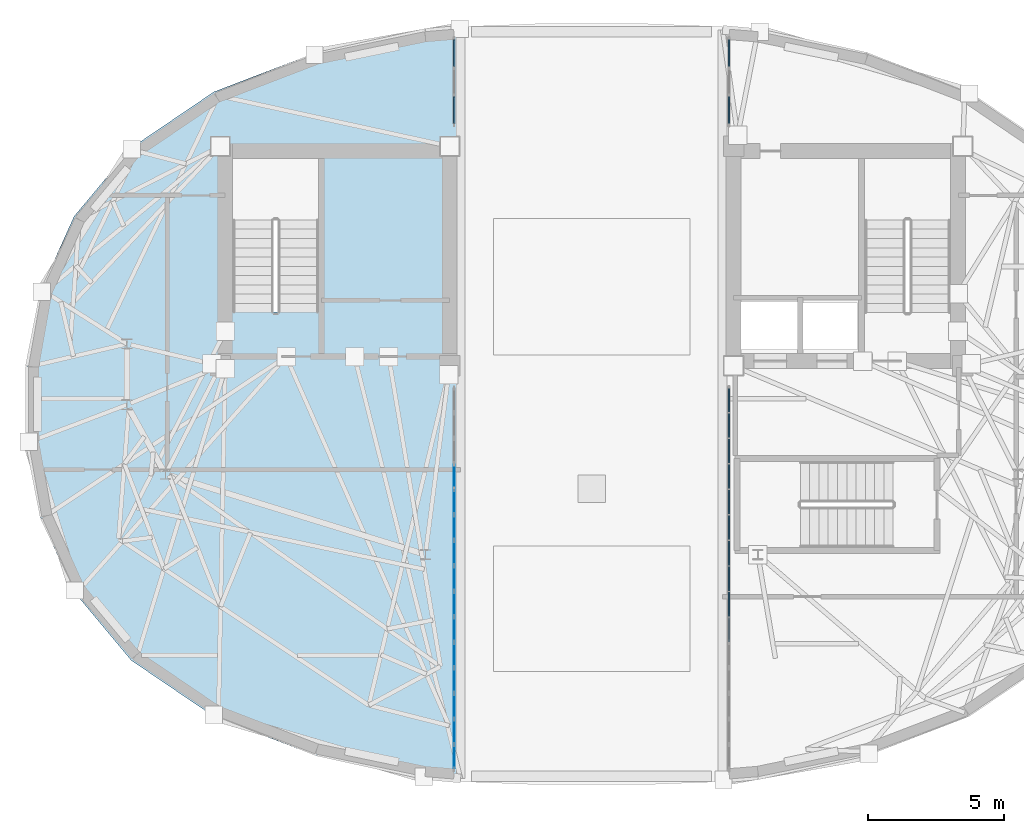
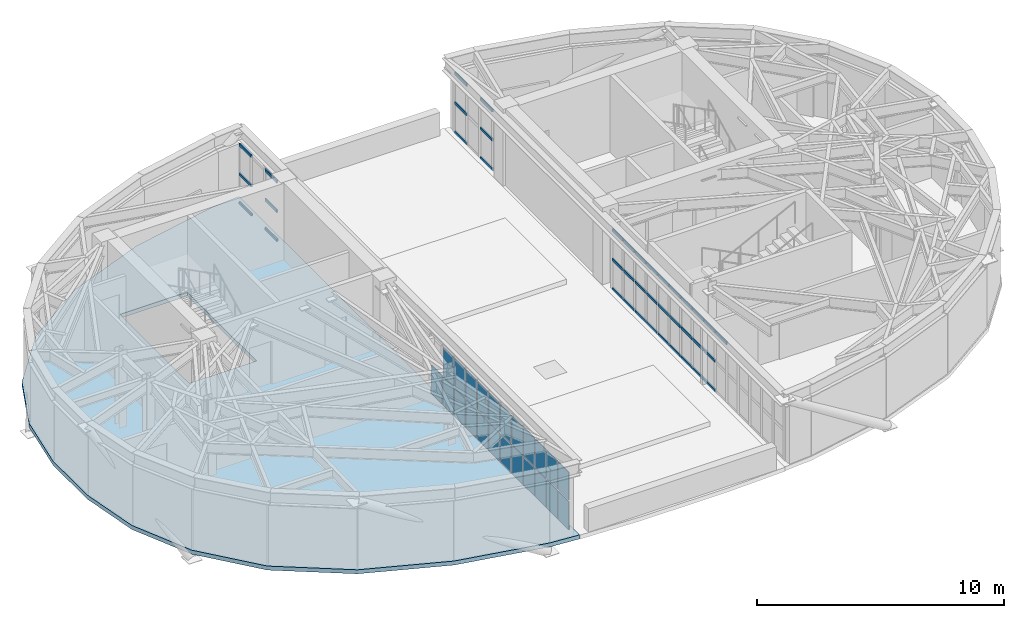
# One storey, part 7 of 13: 40 members, 23 plates, 1 slab, 4 elements without a shape of their own.
"""IFC4 building model written with IfcOpenShell, lengths in metres."""

from ifc_helpers import new_model, si_unit, direction, frame, origin, origin_2d, place, context, subcontext, project, spatial, polyline, rectangle, outline, extrude, material, layer, layer_set, material_profile, profile_set, type_object, element, aggregate, save


model = new_model("IFC4")

# Units and contexts
model_context = context("Model", 3, precision=1e-05, world=origin(), true_north=direction((0.0, 1.0)))
body_context = subcontext(model_context, "Body", "Model", "MODEL_VIEW")
ifc_project = project(units=[si_unit("LENGTHUNIT", "METRE"), si_unit("AREAUNIT", "SQUARE_METRE"), si_unit("VOLUMEUNIT", "CUBIC_METRE"), si_unit("PLANEANGLEUNIT", "RADIAN"), si_unit("MASSUNIT", "GRAM", prefix="KILO")], contexts=[model_context])

# Site, building, storey
site_placement = place(None, origin())
site = spatial("IfcSite", under=ifc_project, at=site_placement, CompositionType="ELEMENT")
building_placement = place(site_placement, origin())
building = spatial("IfcBuilding", under=site, at=building_placement, Name="Keldmark Tower", CompositionType="ELEMENT")
storey_placement = place(building_placement, frame((0.0, 0.0, 269.199951171875)))
storey = spatial("IfcBuildingStorey", under=building, at=storey_placement, Name="L76", CompositionType="ELEMENT", Elevation=269.199951171875)

# Curtain wall, members
ifc_material_1 = material(Name="Unitized Thermally Broken Aluminum and Triple Low-E Glazing", Category="aluminium")
ifc_layer_1 = layer(ifc_material_1, 0.219970703125)
ifc_layer_set_1 = layer_set([ifc_layer_1], Name="Unitized Thermally Broken Aluminum and Triple Low-E Glazing")
curtain_wall_type = type_object("IfcCurtainWallType", Name="Split-Top Crown Lantern Curtain Wall System", PredefinedType="NOTDEFINED", material=ifc_layer_set_1)
curtain_wall_1_placement = place(storey_placement, origin())
curtain_wall_1 = element("IfcCurtainWall", 1, at=curtain_wall_1_placement, inside=storey, type_object=curtain_wall_type, Name="L76 Split-Top Crown Lantern Curtain Wall System CW-L76-ES14-0", PredefinedType="NOTDEFINED")
ifc_material_2 = material(Name="Extruded Aluminum Alloy 6063-T6", Category="aluminium")
ifc_material_profile = material_profile(ifc_material_2, rectangle(XDim=0.06005859375, YDim=0.139892578125, at=origin_2d()), Name="CWT60X140")
ifc_profile_set = profile_set([ifc_material_profile], Name="Extruded Aluminum Alloy 6063-T6")
member_type = type_object("IfcMemberType", Name="Curtain Wall Horizontal Transom 60x140", PredefinedType="USERDEFINED", material=ifc_profile_set)
member_1_placement = place(storey_placement, frame((5.0400390625, 13.344482421875, 0.030029296875), z_axis=(0.0, -1.0, 0.0), x_axis=(1.0, 0.0, 0.0)))
member_1 = element("IfcMember", 2, at=member_1_placement, type_object=member_type, Name="CW transom 1.1", ObjectType="TRANSOM", PredefinedType="USERDEFINED", context=body_context, shape_type="SweptSolid", body=[
    extrude(rectangle(XDim=0.06005859375, YDim=0.139892578125, at=origin_2d()), origin(), (0.0, 0.0, 1.0), 0.968505859375),
])
member_2_placement = place(storey_placement, frame((5.0400390625, 13.344482421875, 1.483154296875), z_axis=(0.0, -1.0, 0.0), x_axis=(1.0, 0.0, 0.0)))
member_2 = element("IfcMember", 3, at=member_2_placement, type_object=member_type, Name="CW transom 1.2", ObjectType="TRANSOM", PredefinedType="USERDEFINED", context=body_context, shape_type="SweptSolid", body=[
    extrude(rectangle(XDim=0.06005859375, YDim=0.139892578125, at=origin_2d()), origin(), (0.0, 0.0, 1.0), 0.968505859375),
])
member_3_placement = place(storey_placement, frame((5.0400390625, 13.344482421875, 2.93603515625), z_axis=(0.0, -1.0, 0.0), x_axis=(1.0, 0.0, 0.0)))
member_3 = element("IfcMember", 4, at=member_3_placement, type_object=member_type, Name="CW transom 1.3", ObjectType="TRANSOM", PredefinedType="USERDEFINED", context=body_context, shape_type="SweptSolid", body=[
    extrude(rectangle(XDim=0.06005859375, YDim=0.139892578125, at=origin_2d()), origin(), (0.0, 0.0, 1.0), 0.968505859375),
])
member_4_placement = place(storey_placement, frame((5.0400390625, 11.257080078125, 0.030029296875), z_axis=(0.0, -1.0, 0.0), x_axis=(1.0, 0.0, 0.0)))
member_4 = element("IfcMember", 5, at=member_4_placement, type_object=member_type, Name="CW transom 3.1", ObjectType="TRANSOM", PredefinedType="USERDEFINED", context=body_context, shape_type="SweptSolid", body=[
    extrude(rectangle(XDim=0.06005859375, YDim=0.139892578125, at=origin_2d()), origin(), (0.0, 0.0, 1.0), 0.968505859375),
])
member_5_placement = place(storey_placement, frame((5.0400390625, 11.257080078125, 1.483154296875), z_axis=(0.0, -1.0, 0.0), x_axis=(1.0, 0.0, 0.0)))
member_5 = element("IfcMember", 6, at=member_5_placement, type_object=member_type, Name="CW transom 3.2", ObjectType="TRANSOM", PredefinedType="USERDEFINED", context=body_context, shape_type="SweptSolid", body=[
    extrude(rectangle(XDim=0.06005859375, YDim=0.139892578125, at=origin_2d()), origin(), (0.0, 0.0, 1.0), 0.968505859375),
])
member_6_placement = place(storey_placement, frame((5.0400390625, 11.257080078125, 2.93603515625), z_axis=(0.0, -1.0, 0.0), x_axis=(1.0, 0.0, 0.0)))
member_6 = element("IfcMember", 7, at=member_6_placement, type_object=member_type, Name="CW transom 3.3", ObjectType="TRANSOM", PredefinedType="USERDEFINED", context=body_context, shape_type="SweptSolid", body=[
    extrude(rectangle(XDim=0.06005859375, YDim=0.139892578125, at=origin_2d()), origin(), (0.0, 0.0, 1.0), 0.968505859375),
])
aggregate(curtain_wall_1, [member_1, member_2, member_3, member_4, member_5, member_6])

curtain_wall_2_placement = place(storey_placement, origin())
curtain_wall_2 = element("IfcCurtainWall", 8, at=curtain_wall_2_placement, inside=storey, type_object=curtain_wall_type, Name="L76 Split-Top Crown Lantern Curtain Wall System CW-L76-ES14-1", PredefinedType="NOTDEFINED")
member_7_placement = place(storey_placement, frame((5.0400390625, 0.5615234375, 0.030029296875), z_axis=(0.0, -1.0, 0.0), x_axis=(1.0, 0.0, 0.0)))
member_7 = element("IfcMember", 9, at=member_7_placement, type_object=member_type, Name="CW transom 1.1", ObjectType="TRANSOM", PredefinedType="USERDEFINED", context=body_context, shape_type="SweptSolid", body=[
    extrude(rectangle(XDim=0.06005859375, YDim=0.139892578125, at=origin_2d()), origin(), (0.0, 0.0, 1.0), 0.84521484375),
])
member_8_placement = place(storey_placement, frame((5.0400390625, 0.5615234375, 1.483154296875), z_axis=(0.0, -1.0, 0.0), x_axis=(1.0, 0.0, 0.0)))
member_8 = element("IfcMember", 10, at=member_8_placement, type_object=member_type, Name="CW transom 1.2", ObjectType="TRANSOM", PredefinedType="USERDEFINED", context=body_context, shape_type="SweptSolid", body=[
    extrude(rectangle(XDim=0.06005859375, YDim=0.139892578125, at=origin_2d()), origin(), (0.0, 0.0, 1.0), 0.84521484375),
])
member_9_placement = place(storey_placement, frame((5.0400390625, 0.5615234375, 2.93603515625), z_axis=(0.0, -1.0, 0.0), x_axis=(1.0, 0.0, 0.0)))
member_9 = element("IfcMember", 11, at=member_9_placement, type_object=member_type, Name="CW transom 1.3", ObjectType="TRANSOM", PredefinedType="USERDEFINED", context=body_context, shape_type="SweptSolid", body=[
    extrude(rectangle(XDim=0.06005859375, YDim=0.139892578125, at=origin_2d()), origin(), (0.0, 0.0, 1.0), 0.84521484375),
])
member_10_placement = place(storey_placement, frame((5.0400390625, -0.343505859375, 0.030029296875), z_axis=(0.0, -1.0, 0.0), x_axis=(1.0, 0.0, 0.0)))
member_10 = element("IfcMember", 12, at=member_10_placement, type_object=member_type, Name="CW transom 2.1", ObjectType="TRANSOM", PredefinedType="USERDEFINED", context=body_context, shape_type="SweptSolid", body=[
    extrude(rectangle(XDim=0.06005859375, YDim=0.139892578125, at=origin_2d()), origin(), (0.0, 0.0, 1.0), 0.875244140625),
])
member_11_placement = place(storey_placement, frame((5.0400390625, -0.343505859375, 1.483154296875), z_axis=(0.0, -1.0, 0.0), x_axis=(1.0, 0.0, 0.0)))
member_11 = element("IfcMember", 13, at=member_11_placement, type_object=member_type, Name="CW transom 2.2", ObjectType="TRANSOM", PredefinedType="USERDEFINED", context=body_context, shape_type="SweptSolid", body=[
    extrude(rectangle(XDim=0.06005859375, YDim=0.139892578125, at=origin_2d()), origin(), (0.0, 0.0, 1.0), 0.875244140625),
])
member_12_placement = place(storey_placement, frame((5.0400390625, -0.343505859375, 2.93603515625), z_axis=(0.0, -1.0, 0.0), x_axis=(1.0, 0.0, 0.0)))
member_12 = element("IfcMember", 14, at=member_12_placement, type_object=member_type, Name="CW transom 2.3", ObjectType="TRANSOM", PredefinedType="USERDEFINED", context=body_context, shape_type="SweptSolid", body=[
    extrude(rectangle(XDim=0.06005859375, YDim=0.139892578125, at=origin_2d()), origin(), (0.0, 0.0, 1.0), 0.875244140625),
])
member_13_placement = place(storey_placement, frame((5.0400390625, -1.278564453125, 0.030029296875), z_axis=(0.0, -1.0, 0.0), x_axis=(1.0, 0.0, 0.0)))
member_13 = element("IfcMember", 15, at=member_13_placement, type_object=member_type, Name="CW transom 3.1", ObjectType="TRANSOM", PredefinedType="USERDEFINED", context=body_context, shape_type="SweptSolid", body=[
    extrude(rectangle(XDim=0.06005859375, YDim=0.139892578125, at=origin_2d()), origin(), (0.0, 0.0, 1.0), 0.875244140625),
])
member_14_placement = place(storey_placement, frame((5.0400390625, -1.278564453125, 1.483154296875), z_axis=(0.0, -1.0, 0.0), x_axis=(1.0, 0.0, 0.0)))
member_14 = element("IfcMember", 16, at=member_14_placement, type_object=member_type, Name="CW transom 3.2", ObjectType="TRANSOM", PredefinedType="USERDEFINED", context=body_context, shape_type="SweptSolid", body=[
    extrude(rectangle(XDim=0.06005859375, YDim=0.139892578125, at=origin_2d()), origin(), (0.0, 0.0, 1.0), 0.875244140625),
])
member_15_placement = place(storey_placement, frame((5.0400390625, -1.278564453125, 2.93603515625), z_axis=(0.0, -1.0, 0.0), x_axis=(1.0, 0.0, 0.0)))
member_15 = element("IfcMember", 17, at=member_15_placement, type_object=member_type, Name="CW transom 3.3", ObjectType="TRANSOM", PredefinedType="USERDEFINED", context=body_context, shape_type="SweptSolid", body=[
    extrude(rectangle(XDim=0.06005859375, YDim=0.139892578125, at=origin_2d()), origin(), (0.0, 0.0, 1.0), 0.875244140625),
])
member_16_placement = place(storey_placement, frame((5.0400390625, -2.213623046875, 0.030029296875), z_axis=(0.0, -1.0, 0.0), x_axis=(1.0, 0.0, 0.0)))
member_16 = element("IfcMember", 18, at=member_16_placement, type_object=member_type, Name="CW transom 4.1", ObjectType="TRANSOM", PredefinedType="USERDEFINED", context=body_context, shape_type="SweptSolid", body=[
    extrude(rectangle(XDim=0.06005859375, YDim=0.139892578125, at=origin_2d()), origin(), (0.0, 0.0, 1.0), 0.875244140625),
])
member_17_placement = place(storey_placement, frame((5.0400390625, -2.213623046875, 1.483154296875), z_axis=(0.0, -1.0, 0.0), x_axis=(1.0, 0.0, 0.0)))
member_17 = element("IfcMember", 19, at=member_17_placement, type_object=member_type, Name="CW transom 4.2", ObjectType="TRANSOM", PredefinedType="USERDEFINED", context=body_context, shape_type="SweptSolid", body=[
    extrude(rectangle(XDim=0.06005859375, YDim=0.139892578125, at=origin_2d()), origin(), (0.0, 0.0, 1.0), 0.875244140625),
])
member_18_placement = place(storey_placement, frame((5.0400390625, -2.213623046875, 2.93603515625), z_axis=(0.0, -1.0, 0.0), x_axis=(1.0, 0.0, 0.0)))
member_18 = element("IfcMember", 20, at=member_18_placement, type_object=member_type, Name="CW transom 4.3", ObjectType="TRANSOM", PredefinedType="USERDEFINED", context=body_context, shape_type="SweptSolid", body=[
    extrude(rectangle(XDim=0.06005859375, YDim=0.139892578125, at=origin_2d()), origin(), (0.0, 0.0, 1.0), 0.875244140625),
])
member_19_placement = place(storey_placement, frame((5.0400390625, -3.148681640625, 0.030029296875), z_axis=(0.0, -1.0, 0.0), x_axis=(1.0, 0.0, 0.0)))
member_19 = element("IfcMember", 21, at=member_19_placement, type_object=member_type, Name="CW transom 5.1", ObjectType="TRANSOM", PredefinedType="USERDEFINED", context=body_context, shape_type="SweptSolid", body=[
    extrude(rectangle(XDim=0.06005859375, YDim=0.139892578125, at=origin_2d()), origin(), (0.0, 0.0, 1.0), 0.875244140625),
])
member_20_placement = place(storey_placement, frame((5.0400390625, -3.148681640625, 1.483154296875), z_axis=(0.0, -1.0, 0.0), x_axis=(1.0, 0.0, 0.0)))
member_20 = element("IfcMember", 22, at=member_20_placement, type_object=member_type, Name="CW transom 5.2", ObjectType="TRANSOM", PredefinedType="USERDEFINED", context=body_context, shape_type="SweptSolid", body=[
    extrude(rectangle(XDim=0.06005859375, YDim=0.139892578125, at=origin_2d()), origin(), (0.0, 0.0, 1.0), 0.875244140625),
])
member_21_placement = place(storey_placement, frame((5.0400390625, -3.148681640625, 2.93603515625), z_axis=(0.0, -1.0, 0.0), x_axis=(1.0, 0.0, 0.0)))
member_21 = element("IfcMember", 23, at=member_21_placement, type_object=member_type, Name="CW transom 5.3", ObjectType="TRANSOM", PredefinedType="USERDEFINED", context=body_context, shape_type="SweptSolid", body=[
    extrude(rectangle(XDim=0.06005859375, YDim=0.139892578125, at=origin_2d()), origin(), (0.0, 0.0, 1.0), 0.875244140625),
])
member_22_placement = place(storey_placement, frame((5.0400390625, -4.083984375, 0.030029296875), z_axis=(0.0, -1.0, 0.0), x_axis=(1.0, 0.0, 0.0)))
member_22 = element("IfcMember", 24, at=member_22_placement, type_object=member_type, Name="CW transom 6.1", ObjectType="TRANSOM", PredefinedType="USERDEFINED", context=body_context, shape_type="SweptSolid", body=[
    extrude(rectangle(XDim=0.06005859375, YDim=0.139892578125, at=origin_2d()), origin(), (0.0, 0.0, 1.0), 0.875),
])
member_23_placement = place(storey_placement, frame((5.0400390625, -4.083984375, 1.483154296875), z_axis=(0.0, -1.0, 0.0), x_axis=(1.0, 0.0, 0.0)))
member_23 = element("IfcMember", 25, at=member_23_placement, type_object=member_type, Name="CW transom 6.2", ObjectType="TRANSOM", PredefinedType="USERDEFINED", context=body_context, shape_type="SweptSolid", body=[
    extrude(rectangle(XDim=0.06005859375, YDim=0.139892578125, at=origin_2d()), origin(), (0.0, 0.0, 1.0), 0.875),
])
member_24_placement = place(storey_placement, frame((5.0400390625, -4.083984375, 2.93603515625), z_axis=(0.0, -1.0, 0.0), x_axis=(1.0, 0.0, 0.0)))
member_24 = element("IfcMember", 26, at=member_24_placement, type_object=member_type, Name="CW transom 6.3", ObjectType="TRANSOM", PredefinedType="USERDEFINED", context=body_context, shape_type="SweptSolid", body=[
    extrude(rectangle(XDim=0.06005859375, YDim=0.139892578125, at=origin_2d()), origin(), (0.0, 0.0, 1.0), 0.875),
])
member_25_placement = place(storey_placement, frame((5.0400390625, -5.01904296875, 0.030029296875), z_axis=(0.0, -1.0, 0.0), x_axis=(1.0, 0.0, 0.0)))
member_25 = element("IfcMember", 27, at=member_25_placement, type_object=member_type, Name="CW transom 7.1", ObjectType="TRANSOM", PredefinedType="USERDEFINED", context=body_context, shape_type="SweptSolid", body=[
    extrude(rectangle(XDim=0.06005859375, YDim=0.139892578125, at=origin_2d()), origin(), (0.0, 0.0, 1.0), 0.875),
])
member_26_placement = place(storey_placement, frame((5.0400390625, -5.01904296875, 1.483154296875), z_axis=(0.0, -1.0, 0.0), x_axis=(1.0, 0.0, 0.0)))
member_26 = element("IfcMember", 28, at=member_26_placement, type_object=member_type, Name="CW transom 7.2", ObjectType="TRANSOM", PredefinedType="USERDEFINED", context=body_context, shape_type="SweptSolid", body=[
    extrude(rectangle(XDim=0.06005859375, YDim=0.139892578125, at=origin_2d()), origin(), (0.0, 0.0, 1.0), 0.875),
])
member_27_placement = place(storey_placement, frame((5.0400390625, -5.01904296875, 2.93603515625), z_axis=(0.0, -1.0, 0.0), x_axis=(1.0, 0.0, 0.0)))
member_27 = element("IfcMember", 29, at=member_27_placement, type_object=member_type, Name="CW transom 7.3", ObjectType="TRANSOM", PredefinedType="USERDEFINED", context=body_context, shape_type="SweptSolid", body=[
    extrude(rectangle(XDim=0.06005859375, YDim=0.139892578125, at=origin_2d()), origin(), (0.0, 0.0, 1.0), 0.875),
])
member_28_placement = place(storey_placement, frame((5.0400390625, -5.9541015625, 0.030029296875), z_axis=(0.0, -1.0, 0.0), x_axis=(1.0, 0.0, 0.0)))
member_28 = element("IfcMember", 30, at=member_28_placement, type_object=member_type, Name="CW transom 8.1", ObjectType="TRANSOM", PredefinedType="USERDEFINED", context=body_context, shape_type="SweptSolid", body=[
    extrude(rectangle(XDim=0.06005859375, YDim=0.139892578125, at=origin_2d()), origin(), (0.0, 0.0, 1.0), 0.875),
])
member_29_placement = place(storey_placement, frame((5.0400390625, -5.9541015625, 1.483154296875), z_axis=(0.0, -1.0, 0.0), x_axis=(1.0, 0.0, 0.0)))
member_29 = element("IfcMember", 31, at=member_29_placement, type_object=member_type, Name="CW transom 8.2", ObjectType="TRANSOM", PredefinedType="USERDEFINED", context=body_context, shape_type="SweptSolid", body=[
    extrude(rectangle(XDim=0.06005859375, YDim=0.139892578125, at=origin_2d()), origin(), (0.0, 0.0, 1.0), 0.875),
])
member_30_placement = place(storey_placement, frame((5.0400390625, -5.9541015625, 2.93603515625), z_axis=(0.0, -1.0, 0.0), x_axis=(1.0, 0.0, 0.0)))
member_30 = element("IfcMember", 32, at=member_30_placement, type_object=member_type, Name="CW transom 8.3", ObjectType="TRANSOM", PredefinedType="USERDEFINED", context=body_context, shape_type="SweptSolid", body=[
    extrude(rectangle(XDim=0.06005859375, YDim=0.139892578125, at=origin_2d()), origin(), (0.0, 0.0, 1.0), 0.875),
])
member_31_placement = place(storey_placement, frame((5.0400390625, -6.88916015625, 0.030029296875), z_axis=(0.0, -1.0, 0.0), x_axis=(1.0, 0.0, 0.0)))
member_31 = element("IfcMember", 33, at=member_31_placement, type_object=member_type, Name="CW transom 9.1", ObjectType="TRANSOM", PredefinedType="USERDEFINED", context=body_context, shape_type="SweptSolid", body=[
    extrude(rectangle(XDim=0.06005859375, YDim=0.139892578125, at=origin_2d()), origin(), (0.0, 0.0, 1.0), 0.875),
])
member_32_placement = place(storey_placement, frame((5.0400390625, -6.88916015625, 1.483154296875), z_axis=(0.0, -1.0, 0.0), x_axis=(1.0, 0.0, 0.0)))
member_32 = element("IfcMember", 34, at=member_32_placement, type_object=member_type, Name="CW transom 9.2", ObjectType="TRANSOM", PredefinedType="USERDEFINED", context=body_context, shape_type="SweptSolid", body=[
    extrude(rectangle(XDim=0.06005859375, YDim=0.139892578125, at=origin_2d()), origin(), (0.0, 0.0, 1.0), 0.875),
])
member_33_placement = place(storey_placement, frame((5.0400390625, -6.88916015625, 2.93603515625), z_axis=(0.0, -1.0, 0.0), x_axis=(1.0, 0.0, 0.0)))
member_33 = element("IfcMember", 35, at=member_33_placement, type_object=member_type, Name="CW transom 9.3", ObjectType="TRANSOM", PredefinedType="USERDEFINED", context=body_context, shape_type="SweptSolid", body=[
    extrude(rectangle(XDim=0.06005859375, YDim=0.139892578125, at=origin_2d()), origin(), (0.0, 0.0, 1.0), 0.875),
])
member_34_placement = place(storey_placement, frame((5.0400390625, -7.82421875, 2.93603515625), z_axis=(0.0, -1.0, 0.0), x_axis=(1.0, 0.0, 0.0)))
member_34 = element("IfcMember", 36, at=member_34_placement, type_object=member_type, Name="CW transom 10.3", ObjectType="TRANSOM", PredefinedType="USERDEFINED", context=body_context, shape_type="SweptSolid", body=[
    extrude(rectangle(XDim=0.06005859375, YDim=0.139892578125, at=origin_2d()), origin(), (0.0, 0.0, 1.0), 0.875),
])
aggregate(curtain_wall_2, [member_7, member_8, member_9, member_10, member_11, member_12, member_13, member_14, member_15, member_16, member_17, member_18, member_19, member_20, member_21, member_22, member_23, member_24, member_25, member_26, member_27, member_28, member_29, member_30, member_31, member_32, member_33, member_34])

curtain_wall_3_placement = place(storey_placement, origin())
curtain_wall_3 = element("IfcCurtainWall", 37, at=curtain_wall_3_placement, inside=storey, type_object=curtain_wall_type, Name="L76 Split-Top Crown Lantern Curtain Wall System CW-L76-WS14-1", PredefinedType="NOTDEFINED")
member_35_placement = place(storey_placement, frame((-5.0400390625, 10.28857421875, 0.030029296875), z_axis=(0.0, 1.0, 0.0), x_axis=(-1.0, 0.0, 0.0)))
member_35 = element("IfcMember", 38, at=member_35_placement, type_object=member_type, Name="CW transom 1.1", ObjectType="TRANSOM", PredefinedType="USERDEFINED", context=body_context, shape_type="SweptSolid", body=[
    extrude(rectangle(XDim=0.06005859375, YDim=0.139892578125, at=origin_2d()), origin(), (0.0, 0.0, 1.0), 0.968505859375),
])
member_36_placement = place(storey_placement, frame((-5.0400390625, 10.28857421875, 1.483154296875), z_axis=(0.0, 1.0, 0.0), x_axis=(-1.0, 0.0, 0.0)))
member_36 = element("IfcMember", 39, at=member_36_placement, type_object=member_type, Name="CW transom 1.2", ObjectType="TRANSOM", PredefinedType="USERDEFINED", context=body_context, shape_type="SweptSolid", body=[
    extrude(rectangle(XDim=0.06005859375, YDim=0.139892578125, at=origin_2d()), origin(), (0.0, 0.0, 1.0), 0.968505859375),
])
member_37_placement = place(storey_placement, frame((-5.0400390625, 10.28857421875, 2.93603515625), z_axis=(0.0, 1.0, 0.0), x_axis=(-1.0, 0.0, 0.0)))
member_37 = element("IfcMember", 40, at=member_37_placement, type_object=member_type, Name="CW transom 1.3", ObjectType="TRANSOM", PredefinedType="USERDEFINED", context=body_context, shape_type="SweptSolid", body=[
    extrude(rectangle(XDim=0.06005859375, YDim=0.139892578125, at=origin_2d()), origin(), (0.0, 0.0, 1.0), 0.968505859375),
])
member_38_placement = place(storey_placement, frame((-5.0400390625, 12.3759765625, 0.030029296875), z_axis=(0.0, 1.0, 0.0), x_axis=(-1.0, 0.0, 0.0)))
member_38 = element("IfcMember", 41, at=member_38_placement, type_object=member_type, Name="CW transom 3.1", ObjectType="TRANSOM", PredefinedType="USERDEFINED", context=body_context, shape_type="SweptSolid", body=[
    extrude(rectangle(XDim=0.06005859375, YDim=0.139892578125, at=origin_2d()), origin(), (0.0, 0.0, 1.0), 0.968505859375),
])
member_39_placement = place(storey_placement, frame((-5.0400390625, 12.3759765625, 1.483154296875), z_axis=(0.0, 1.0, 0.0), x_axis=(-1.0, 0.0, 0.0)))
member_39 = element("IfcMember", 42, at=member_39_placement, type_object=member_type, Name="CW transom 3.2", ObjectType="TRANSOM", PredefinedType="USERDEFINED", context=body_context, shape_type="SweptSolid", body=[
    extrude(rectangle(XDim=0.06005859375, YDim=0.139892578125, at=origin_2d()), origin(), (0.0, 0.0, 1.0), 0.968505859375),
])
member_40_placement = place(storey_placement, frame((-5.0400390625, 12.3759765625, 2.93603515625), z_axis=(0.0, 1.0, 0.0), x_axis=(-1.0, 0.0, 0.0)))
member_40 = element("IfcMember", 43, at=member_40_placement, type_object=member_type, Name="CW transom 3.3", ObjectType="TRANSOM", PredefinedType="USERDEFINED", context=body_context, shape_type="SweptSolid", body=[
    extrude(rectangle(XDim=0.06005859375, YDim=0.139892578125, at=origin_2d()), origin(), (0.0, 0.0, 1.0), 0.968505859375),
])
aggregate(curtain_wall_3, [member_35, member_36, member_37, member_38, member_39, member_40])

# Slab
ifc_material_3 = material(Name="Concrete C35/45", Category="concrete")
ifc_layer_2 = layer(ifc_material_3, 0.199951171875)
ifc_layer_set_2 = layer_set([ifc_layer_2], Name="Concrete C35/45")
slab_type = type_object("IfcSlabType", Name="Low-Rise Office Composite Slab 200 mm", PredefinedType="FLOOR", material=ifc_layer_set_2)
slab_placement = place(storey_placement, frame((0.0, 0.0, -0.199951171875)))
element("IfcSlab", 44, at=slab_placement, inside=storey, type_object=slab_type, Name="L76 West Crown Plant Floor Slab", PredefinedType="FLOOR", context=body_context, shape_type="SweptSolid", body=[
    extrude(outline(polyline([(-6.12451171875, -13.69677734375), (-10.135986328125, -12.864501953125), (-13.841064453125, -11.44140625), (-16.865478515625, -9.389892578125), (-18.962890625, -6.876220703125), (-20.189697265625, -4.15478515625), (-20.68212890625, -1.3818359375), (-20.68212890625, 1.3818359375), (-20.189697265625, 4.15478515625), (-18.962890625, 6.876220703125), (-16.865478515625, 9.389892578125), (-13.841064453125, 11.44140625), (-10.135986328125, 12.864501953125), (-6.12451171875, 13.69677734375), (-4.800048828125, 13.804931640625), (-4.800048828125, -13.804931640625), (-6.12451171875, -13.69677734375)]), holes=[polyline([(-10.0, 3.385009765625), (-10.0, 9.0), (-13.14990234375, 9.0), (-13.14990234375, 3.385009765625), (-10.0, 3.385009765625)])]), origin(), (0.0, 0.0, 1.0), 0.199951171875),
])

# Curtain wall, plates
curtain_wall_4_placement = place(storey_placement, origin())
curtain_wall_4 = element("IfcCurtainWall", 45, at=curtain_wall_4_placement, inside=storey, type_object=curtain_wall_type, Name="L76 Split-Top Crown Lantern Curtain Wall System CW-L76-WS14-0", PredefinedType="NOTDEFINED")
ifc_material_4 = material(Name="Triple Silver Low-E Insulated Glass Unit", Category="glass")
ifc_layer_3 = layer(ifc_material_4, 0.035888671875)
ifc_layer_set_3 = layer_set([ifc_layer_3], Name="Triple Silver Low-E Insulated Glass Unit")
plate_type = type_object("IfcPlateType", Name="Triple Low-E Vision Glazing Panel 36 mm", PredefinedType="CURTAIN_PANEL", material=ifc_layer_set_3)
plate_1_placement = place(storey_placement, frame((-5.0400390625, -12.922119140625, 0.06005859375), z_axis=(0.0, 0.0, 1.0), x_axis=(0.0, 1.0, 0.0)))
plate_1 = element("IfcPlate", 46, at=plate_1_placement, type_object=plate_type, Name="CW panel 1.1", PredefinedType="CURTAIN_PANEL", context=body_context, shape_type="SweptSolid", body=[
    extrude(rectangle(XDim=0.844970703125, YDim=0.035888671875, at=origin_2d()), origin(), (0.0, 0.0, 1.0), 1.39306640625),
])
plate_2_placement = place(storey_placement, frame((-5.0400390625, -12.922119140625, 1.512939453125), z_axis=(0.0, 0.0, 1.0), x_axis=(0.0, 1.0, 0.0)))
plate_2 = element("IfcPlate", 47, at=plate_2_placement, type_object=plate_type, Name="CW panel 1.2", PredefinedType="CURTAIN_PANEL", context=body_context, shape_type="SweptSolid", body=[
    extrude(rectangle(XDim=0.844970703125, YDim=0.035888671875, at=origin_2d()), origin(), (0.0, 0.0, 1.0), 1.39306640625),
])
plate_3_placement = place(storey_placement, frame((-5.0400390625, -12.001953125, 0.06005859375), z_axis=(0.0, 0.0, 1.0), x_axis=(0.0, 1.0, 0.0)))
plate_3 = element("IfcPlate", 48, at=plate_3_placement, type_object=plate_type, Name="CW panel 2.1", PredefinedType="CURTAIN_PANEL", context=body_context, shape_type="SweptSolid", body=[
    extrude(rectangle(XDim=0.875, YDim=0.035888671875, at=origin_2d()), origin(), (0.0, 0.0, 1.0), 1.39306640625),
])
plate_4_placement = place(storey_placement, frame((-5.0400390625, -12.001953125, 1.512939453125), z_axis=(0.0, 0.0, 1.0), x_axis=(0.0, 1.0, 0.0)))
plate_4 = element("IfcPlate", 49, at=plate_4_placement, type_object=plate_type, Name="CW panel 2.2", PredefinedType="CURTAIN_PANEL", context=body_context, shape_type="SweptSolid", body=[
    extrude(rectangle(XDim=0.875, YDim=0.035888671875, at=origin_2d()), origin(), (0.0, 0.0, 1.0), 1.39306640625),
])
plate_5_placement = place(storey_placement, frame((-5.0400390625, -11.06689453125, 0.06005859375), z_axis=(0.0, 0.0, 1.0), x_axis=(0.0, 1.0, 0.0)))
plate_5 = element("IfcPlate", 50, at=plate_5_placement, type_object=plate_type, Name="CW panel 3.1", PredefinedType="CURTAIN_PANEL", context=body_context, shape_type="SweptSolid", body=[
    extrude(rectangle(XDim=0.875, YDim=0.035888671875, at=origin_2d()), origin(), (0.0, 0.0, 1.0), 1.39306640625),
])
plate_6_placement = place(storey_placement, frame((-5.0400390625, -11.06689453125, 1.512939453125), z_axis=(0.0, 0.0, 1.0), x_axis=(0.0, 1.0, 0.0)))
plate_6 = element("IfcPlate", 51, at=plate_6_placement, type_object=plate_type, Name="CW panel 3.2", PredefinedType="CURTAIN_PANEL", context=body_context, shape_type="SweptSolid", body=[
    extrude(rectangle(XDim=0.875, YDim=0.035888671875, at=origin_2d()), origin(), (0.0, 0.0, 1.0), 1.39306640625),
])
plate_7_placement = place(storey_placement, frame((-5.0400390625, -10.1318359375, 0.06005859375), z_axis=(0.0, 0.0, 1.0), x_axis=(0.0, 1.0, 0.0)))
plate_7 = element("IfcPlate", 52, at=plate_7_placement, type_object=plate_type, Name="CW panel 4.1", PredefinedType="CURTAIN_PANEL", context=body_context, shape_type="SweptSolid", body=[
    extrude(rectangle(XDim=0.875, YDim=0.035888671875, at=origin_2d()), origin(), (0.0, 0.0, 1.0), 1.39306640625),
])
plate_8_placement = place(storey_placement, frame((-5.0400390625, -10.1318359375, 1.512939453125), z_axis=(0.0, 0.0, 1.0), x_axis=(0.0, 1.0, 0.0)))
plate_8 = element("IfcPlate", 53, at=plate_8_placement, type_object=plate_type, Name="CW panel 4.2", PredefinedType="CURTAIN_PANEL", context=body_context, shape_type="SweptSolid", body=[
    extrude(rectangle(XDim=0.875, YDim=0.035888671875, at=origin_2d()), origin(), (0.0, 0.0, 1.0), 1.39306640625),
])
plate_9_placement = place(storey_placement, frame((-5.0400390625, -9.19677734375, 0.06005859375), z_axis=(0.0, 0.0, 1.0), x_axis=(0.0, 1.0, 0.0)))
plate_9 = element("IfcPlate", 54, at=plate_9_placement, type_object=plate_type, Name="CW panel 5.1", PredefinedType="CURTAIN_PANEL", context=body_context, shape_type="SweptSolid", body=[
    extrude(rectangle(XDim=0.875, YDim=0.035888671875, at=origin_2d()), origin(), (0.0, 0.0, 1.0), 1.39306640625),
])
plate_10_placement = place(storey_placement, frame((-5.0400390625, -9.19677734375, 1.512939453125), z_axis=(0.0, 0.0, 1.0), x_axis=(0.0, 1.0, 0.0)))
plate_10 = element("IfcPlate", 55, at=plate_10_placement, type_object=plate_type, Name="CW panel 5.2", PredefinedType="CURTAIN_PANEL", context=body_context, shape_type="SweptSolid", body=[
    extrude(rectangle(XDim=0.875, YDim=0.035888671875, at=origin_2d()), origin(), (0.0, 0.0, 1.0), 1.39306640625),
])
plate_11_placement = place(storey_placement, frame((-5.0400390625, -8.26171875, 0.06005859375), z_axis=(0.0, 0.0, 1.0), x_axis=(0.0, 1.0, 0.0)))
plate_11 = element("IfcPlate", 56, at=plate_11_placement, type_object=plate_type, Name="CW panel 6.1", PredefinedType="CURTAIN_PANEL", context=body_context, shape_type="SweptSolid", body=[
    extrude(rectangle(XDim=0.875, YDim=0.035888671875, at=origin_2d()), origin(), (0.0, 0.0, 1.0), 1.39306640625),
])
plate_12_placement = place(storey_placement, frame((-5.0400390625, -8.26171875, 1.512939453125), z_axis=(0.0, 0.0, 1.0), x_axis=(0.0, 1.0, 0.0)))
plate_12 = element("IfcPlate", 57, at=plate_12_placement, type_object=plate_type, Name="CW panel 6.2", PredefinedType="CURTAIN_PANEL", context=body_context, shape_type="SweptSolid", body=[
    extrude(rectangle(XDim=0.875, YDim=0.035888671875, at=origin_2d()), origin(), (0.0, 0.0, 1.0), 1.39306640625),
])
plate_13_placement = place(storey_placement, frame((-5.0400390625, -7.32666015625, 0.06005859375), z_axis=(0.0, 0.0, 1.0), x_axis=(0.0, 1.0, 0.0)))
plate_13 = element("IfcPlate", 58, at=plate_13_placement, type_object=plate_type, Name="CW panel 7.1", PredefinedType="CURTAIN_PANEL", context=body_context, shape_type="SweptSolid", body=[
    extrude(rectangle(XDim=0.875, YDim=0.035888671875, at=origin_2d()), origin(), (0.0, 0.0, 1.0), 1.39306640625),
])
plate_14_placement = place(storey_placement, frame((-5.0400390625, -7.32666015625, 1.512939453125), z_axis=(0.0, 0.0, 1.0), x_axis=(0.0, 1.0, 0.0)))
plate_14 = element("IfcPlate", 59, at=plate_14_placement, type_object=plate_type, Name="CW panel 7.2", PredefinedType="CURTAIN_PANEL", context=body_context, shape_type="SweptSolid", body=[
    extrude(rectangle(XDim=0.875, YDim=0.035888671875, at=origin_2d()), origin(), (0.0, 0.0, 1.0), 1.39306640625),
])
plate_15_placement = place(storey_placement, frame((-5.0400390625, -6.3916015625, 0.06005859375), z_axis=(0.0, 0.0, 1.0), x_axis=(0.0, 1.0, 0.0)))
plate_15 = element("IfcPlate", 60, at=plate_15_placement, type_object=plate_type, Name="CW panel 8.1", PredefinedType="CURTAIN_PANEL", context=body_context, shape_type="SweptSolid", body=[
    extrude(rectangle(XDim=0.875, YDim=0.035888671875, at=origin_2d()), origin(), (0.0, 0.0, 1.0), 1.39306640625),
])
plate_16_placement = place(storey_placement, frame((-5.0400390625, -6.3916015625, 1.512939453125), z_axis=(0.0, 0.0, 1.0), x_axis=(0.0, 1.0, 0.0)))
plate_16 = element("IfcPlate", 61, at=plate_16_placement, type_object=plate_type, Name="CW panel 8.2", PredefinedType="CURTAIN_PANEL", context=body_context, shape_type="SweptSolid", body=[
    extrude(rectangle(XDim=0.875, YDim=0.035888671875, at=origin_2d()), origin(), (0.0, 0.0, 1.0), 1.39306640625),
])
plate_17_placement = place(storey_placement, frame((-5.0400390625, -5.45654296875, 0.06005859375), z_axis=(0.0, 0.0, 1.0), x_axis=(0.0, 1.0, 0.0)))
plate_17 = element("IfcPlate", 62, at=plate_17_placement, type_object=plate_type, Name="CW panel 9.1", PredefinedType="CURTAIN_PANEL", context=body_context, shape_type="SweptSolid", body=[
    extrude(rectangle(XDim=0.875, YDim=0.035888671875, at=origin_2d()), origin(), (0.0, 0.0, 1.0), 1.39306640625),
])
plate_18_placement = place(storey_placement, frame((-5.0400390625, -5.45654296875, 1.512939453125), z_axis=(0.0, 0.0, 1.0), x_axis=(0.0, 1.0, 0.0)))
plate_18 = element("IfcPlate", 63, at=plate_18_placement, type_object=plate_type, Name="CW panel 9.2", PredefinedType="CURTAIN_PANEL", context=body_context, shape_type="SweptSolid", body=[
    extrude(rectangle(XDim=0.875, YDim=0.035888671875, at=origin_2d()), origin(), (0.0, 0.0, 1.0), 1.39306640625),
])
plate_19_placement = place(storey_placement, frame((-5.0400390625, -4.521484375, 0.06005859375), z_axis=(0.0, 0.0, 1.0), x_axis=(0.0, 1.0, 0.0)))
plate_19 = element("IfcPlate", 64, at=plate_19_placement, type_object=plate_type, Name="CW panel 10.1", PredefinedType="CURTAIN_PANEL", context=body_context, shape_type="SweptSolid", body=[
    extrude(rectangle(XDim=0.875, YDim=0.035888671875, at=origin_2d()), origin(), (0.0, 0.0, 1.0), 1.39306640625),
])
plate_20_placement = place(storey_placement, frame((-5.0400390625, -4.521484375, 1.512939453125), z_axis=(0.0, 0.0, 1.0), x_axis=(0.0, 1.0, 0.0)))
plate_20 = element("IfcPlate", 65, at=plate_20_placement, type_object=plate_type, Name="CW panel 10.2", PredefinedType="CURTAIN_PANEL", context=body_context, shape_type="SweptSolid", body=[
    extrude(rectangle(XDim=0.875, YDim=0.035888671875, at=origin_2d()), origin(), (0.0, 0.0, 1.0), 1.39306640625),
])
plate_21_placement = place(storey_placement, frame((-5.0400390625, -3.58642578125, 0.06005859375), z_axis=(0.0, 0.0, 1.0), x_axis=(0.0, 1.0, 0.0)))
plate_21 = element("IfcPlate", 66, at=plate_21_placement, type_object=plate_type, Name="CW panel 11.1", PredefinedType="CURTAIN_PANEL", context=body_context, shape_type="SweptSolid", body=[
    extrude(rectangle(XDim=0.875, YDim=0.035888671875, at=origin_2d()), origin(), (0.0, 0.0, 1.0), 1.39306640625),
])
plate_22_placement = place(storey_placement, frame((-5.0400390625, -3.58642578125, 1.512939453125), z_axis=(0.0, 0.0, 1.0), x_axis=(0.0, 1.0, 0.0)))
plate_22 = element("IfcPlate", 67, at=plate_22_placement, type_object=plate_type, Name="CW panel 11.2", PredefinedType="CURTAIN_PANEL", context=body_context, shape_type="SweptSolid", body=[
    extrude(rectangle(XDim=0.875, YDim=0.035888671875, at=origin_2d()), origin(), (0.0, 0.0, 1.0), 1.39306640625),
])
plate_23_placement = place(storey_placement, frame((-5.0400390625, -2.6513671875, 0.06005859375), z_axis=(0.0, 0.0, 1.0), x_axis=(0.0, 1.0, 0.0)))
plate_23 = element("IfcPlate", 68, at=plate_23_placement, type_object=plate_type, Name="CW panel 12.1", PredefinedType="CURTAIN_PANEL", context=body_context, shape_type="SweptSolid", body=[
    extrude(rectangle(XDim=0.875, YDim=0.035888671875, at=origin_2d()), origin(), (0.0, 0.0, 1.0), 1.39306640625),
])
aggregate(curtain_wall_4, [plate_1, plate_2, plate_3, plate_4, plate_5, plate_6, plate_7, plate_8, plate_9, plate_10, plate_11, plate_12, plate_13, plate_14, plate_15, plate_16, plate_17, plate_18, plate_19, plate_20, plate_21, plate_22, plate_23])

save(model, "model.ifc")
